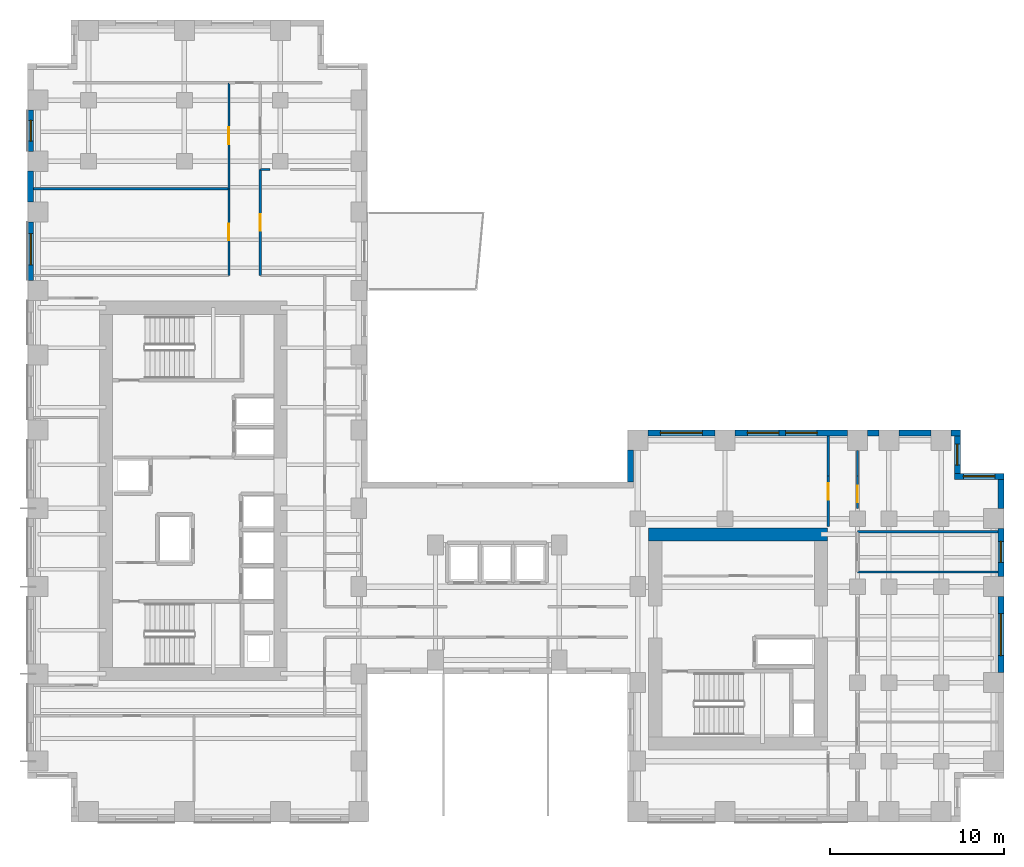
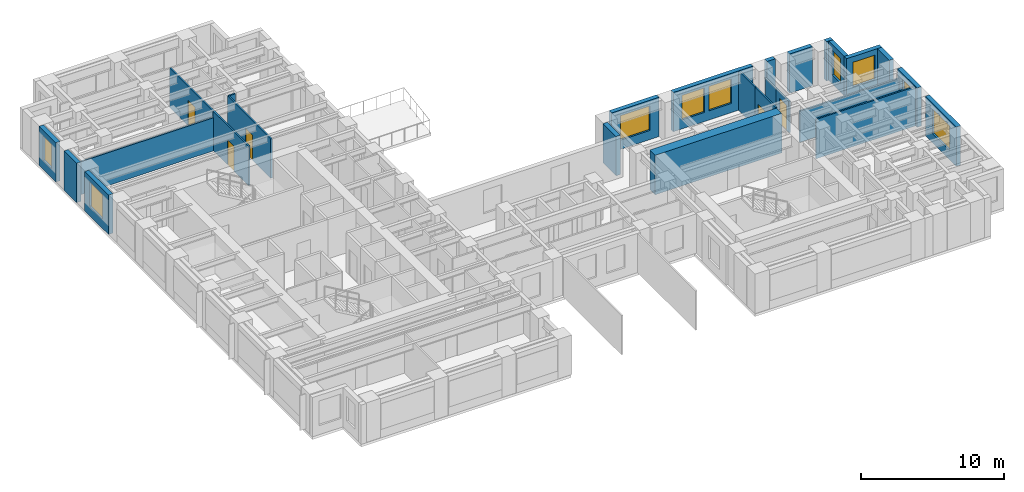
# One storey, part 8 of 11: 26 walls, 9 windows, 5 doors, 14 openings.
"""IFC4 building model written with IfcOpenShell, lengths in metres."""

import ifcopenshell
import ifcopenshell.guid

model = None  # the IFC model being written
_history = None  # IfcOwnerHistory: only IFC2X3 demands one
_inside = {}  # id of a spatial element -> (the spatial element, [elements in it])
_under = {}  # id of a project, library or spatial element -> (it, [spatial elements below it])
_declared = {}  # id of a project -> (the project, [libraries it declares])
_typed = {}  # id of a type object -> (the type object, [elements of that type])
_made_of = {}  # id of a material, layer set ... -> (it, [elements and type objects made of it])


def new_model(schema):
    """Start an empty IFC model of exactly this schema.

    Asked for "IFC4X3", IfcOpenShell would pick the latest addendum, in which some entities
    have other attributes; the version numbers below select the first issue.
    IFC2X3 requires an IfcOwnerHistory on every rooted entity: one is made here for all.
    """
    global model, _history
    if schema == "IFC4X3":
        model = ifcopenshell.file(schema_version=(4, 3, 0, 0))
    else:
        model = ifcopenshell.file(schema=schema)
    _inside.clear()
    _under.clear()
    _declared.clear()
    _typed.clear()
    _made_of.clear()
    _history = None
    if model.schema == "IFC2X3":
        org = make("IfcOrganization", Name="unknown")
        user = make(
            "IfcPersonAndOrganization",
            ThePerson=make("IfcPerson", FamilyName="unknown"),
            TheOrganization=org,
        )
        app = make(
            "IfcApplication",
            ApplicationDeveloper=org,
            Version="unknown",
            ApplicationFullName="unknown",
            ApplicationIdentifier="unknown",
        )
        _history = make(
            "IfcOwnerHistory",
            OwningUser=user,
            OwningApplication=app,
            ChangeAction="ADDED",
            CreationDate=0,
        )
    return model


def make(cls, **values):
    """One entity of the class cls with the attributes given. An attribute that is None is left unset."""
    return model.create_entity(
        cls, **{name: value for name, value in values.items() if value is not None}
    )


def rooted(cls, **values):
    """An entity with a GlobalId (a new one), such as an element, a storey or a relation."""
    return make(cls, GlobalId=ifcopenshell.guid.new(), OwnerHistory=_history, **values)


def si_unit(unit_type, name, prefix=None):
    """IfcSIUnit, for example si_unit("LENGTHUNIT", "METRE", prefix="MILLI")."""
    return make("IfcSIUnit", UnitType=unit_type, Prefix=prefix, Name=name)


def assignment(units):
    """IfcUnitAssignment: the units of a project."""
    return None if units is None else make("IfcUnitAssignment", Units=units)


def point(xyz):
    """IfcCartesianPoint."""
    return None if xyz is None else make("IfcCartesianPoint", Coordinates=xyz)


def direction(xyz):
    """IfcDirection."""
    return None if xyz is None else make("IfcDirection", DirectionRatios=xyz)


def frame(location, z_axis=None, x_axis=None):
    """IfcAxis2Placement3D, a coordinate frame: its origin and axes. An axis left out is left unset."""
    return make(
        "IfcAxis2Placement3D",
        Location=point(location),
        Axis=direction(z_axis),
        RefDirection=direction(x_axis),
    )


def frame_2d(location, x_axis=None):
    """IfcAxis2Placement2D, a coordinate frame in the plane: its origin and x axis."""
    return make(
        "IfcAxis2Placement2D", Location=point(location), RefDirection=direction(x_axis)
    )


def origin():
    """The frame at (0, 0, 0) with its axes left unset."""
    return frame((0.0, 0.0, 0.0))


def place(relative_to, where):
    """IfcLocalPlacement: puts the frame where relative to a parent placement (None: the world)."""
    return make(
        "IfcLocalPlacement", PlacementRelTo=relative_to, RelativePlacement=where
    )


def context(
    kind, dimensions, precision=None, world=None, true_north=None, identifier=None
):
    """IfcGeometricRepresentationContext, for example the 3D "Model" context."""
    return make(
        "IfcGeometricRepresentationContext",
        ContextIdentifier=identifier,
        ContextType=kind,
        CoordinateSpaceDimension=dimensions,
        Precision=precision,
        WorldCoordinateSystem=world,
        TrueNorth=true_north,
    )


def subcontext(parent, identifier, kind, view, scale=None):
    """IfcGeometricRepresentationSubContext, for example "Body" below "Model"."""
    return make(
        "IfcGeometricRepresentationSubContext",
        ContextIdentifier=identifier,
        ContextType=kind,
        ParentContext=parent,
        TargetScale=scale,
        TargetView=view,
    )


def project(units=None, contexts=None):
    """IfcProject with its units and contexts."""
    return rooted(
        "IfcProject",
        Name="project",
        RepresentationContexts=contexts,
        UnitsInContext=assignment(units),
    )


def spatial(cls, under=None, at=None, **own):
    """A site, building, storey or space (cls), placed at a placement, below another one or the project."""
    s = rooted(cls, ObjectPlacement=at, **own)
    if under is not None:
        _under.setdefault(under.id(), (under, []))[1].append(s)
    return s


def profile(cls, at=None, kind="AREA", **sizes):
    """A parametric profile (cls). Its sizes go by their IFC names, for example OverallWidth=200.0."""
    return make(cls, ProfileType=kind, Position=at, **sizes)


def rectangle(**sizes):
    """IfcRectangleProfileDef."""
    return profile("IfcRectangleProfileDef", **sizes)


def extrude(swept, where, along, depth):
    """IfcExtrudedAreaSolid: the profile swept, set in the frame where, extruded along a direction by depth."""
    return make(
        "IfcExtrudedAreaSolid",
        SweptArea=swept,
        Position=where,
        ExtrudedDirection=direction(along),
        Depth=depth,
    )


def shape(context_of_items, identifier, shape_type, items):
    """IfcShapeRepresentation: the items that make up one representation, for example the "Body"."""
    return make(
        "IfcShapeRepresentation",
        ContextOfItems=context_of_items,
        RepresentationIdentifier=identifier,
        RepresentationType=shape_type,
        Items=items,
    )


def source(mapping_origin, context_of_items, identifier, shape_type, items):
    """IfcRepresentationMap: a shape defined once, which mapped items show again and again."""
    return make(
        "IfcRepresentationMap",
        MappingOrigin=mapping_origin,
        MappedRepresentation=shape(context_of_items, identifier, shape_type, items),
    )


def transform(
    local_origin,
    x_axis=None,
    y_axis=None,
    z_axis=None,
    scale=None,
    scale2=None,
    scale3=None,
    uniform=True,
):
    """IfcCartesianTransformationOperator3D, or its non-uniform kind. x_axis, y_axis, z_axis: its Axis1, 2, 3."""
    if uniform:
        return make(
            "IfcCartesianTransformationOperator3D",
            Axis1=direction(x_axis),
            Axis2=direction(y_axis),
            LocalOrigin=point(local_origin),
            Scale=scale,
            Axis3=direction(z_axis),
        )
    return make(
        "IfcCartesianTransformationOperator3DnonUniform",
        Axis1=direction(x_axis),
        Axis2=direction(y_axis),
        LocalOrigin=point(local_origin),
        Scale=scale,
        Axis3=direction(z_axis),
        Scale2=scale2,
        Scale3=scale3,
    )


def mapped(mapping_source, mapping_target):
    """IfcMappedItem: shows the shape of a source again, moved by a transform."""
    return make(
        "IfcMappedItem", MappingSource=mapping_source, MappingTarget=mapping_target
    )


def material(Name=None, Category=None):
    """IfcMaterial."""
    return make("IfcMaterial", Name=Name, Category=Category)


def layer(
    of_material, thickness, ventilated=None, Name=None, Category=None, Priority=None
):
    """IfcMaterialLayer: one layer of a wall or slab, of a material (None: an air gap)."""
    return make(
        "IfcMaterialLayer",
        Material=of_material,
        LayerThickness=thickness,
        IsVentilated=ventilated,
        Name=Name,
        Category=Category,
        Priority=Priority,
    )


def layer_set(layers, Name=None):
    """IfcMaterialLayerSet."""
    return make("IfcMaterialLayerSet", MaterialLayers=layers, LayerSetName=Name)


def made_of(thing, what):
    """Note that an element or type object is made of a material, layer set ...; save() writes the relation."""
    if what is not None:
        _made_of.setdefault(what.id(), (what, []))[1].append(thing)
    return thing


def type_object(cls, material=None, **own):
    """A type object (cls), such as IfcWallType, which elements share."""
    return made_of(rooted(cls, **own), material)


def element(
    cls,
    number,
    at=None,
    inside=None,
    cuts=None,
    type_object=None,
    material=None,
    context=None,
    identifier="Body",
    shape_type=None,
    held_by="IfcProductDefinitionShape",
    body=None,
    shapes=None,
    **own,
):
    """One element of the class cls, such as IfcWall. Its Tag is "e" and its number.

    at: its placement. inside: the storey or other place that contains it. cuts: it is an
    opening in that element (IfcRelVoidsElement). A single representation is given by context,
    identifier, shape_type and body (its items); several are given by shapes. held_by: the class
    of the entity that holds the representations. save() writes the other relations.
    """
    e = rooted(cls, Tag="e%d" % number, ObjectPlacement=at, **own)
    if body is not None:
        shapes = [shape(context, identifier, shape_type, body)]
    if shapes is not None:
        e.Representation = make(held_by, Representations=shapes)
    if inside is not None:
        _inside.setdefault(inside.id(), (inside, []))[1].append(e)
    if cuts is not None:
        rooted(
            "IfcRelVoidsElement", RelatingBuildingElement=cuts, RelatedOpeningElement=e
        )
    if type_object is not None:
        _typed.setdefault(type_object.id(), (type_object, []))[1].append(e)
    return made_of(e, material)


def fill(opening, filler):
    """IfcRelFillsElement: the door or window that sits in an opening."""
    return rooted(
        "IfcRelFillsElement",
        RelatingOpeningElement=opening,
        RelatedBuildingElement=filler,
    )


def aggregate(whole, parts):
    """IfcRelAggregates: a whole, such as a stair, and the parts it consists of."""
    return rooted("IfcRelAggregates", RelatingObject=whole, RelatedObjects=parts)


def save(model, path):
    """Write the relations noted so far, then the file.

    IfcRelAggregates (storeys below a building ...), IfcRelContainedInSpatialStructure (elements
    in a storey), IfcRelDefinesByType, IfcRelAssociatesMaterial and IfcRelDeclares: one each for
    every whole, place, type object, material and project.
    """
    for whole, parts in _under.values():
        aggregate(whole, parts)
    for where, things in _inside.values():
        rooted(
            "IfcRelContainedInSpatialStructure",
            RelatedElements=things,
            RelatingStructure=where,
        )
    for kind, things in _typed.values():
        rooted("IfcRelDefinesByType", RelatedObjects=things, RelatingType=kind)
    for what, things in _made_of.values():
        rooted("IfcRelAssociatesMaterial", RelatedObjects=things, RelatingMaterial=what)
    for by, libraries in _declared.values():
        rooted("IfcRelDeclares", RelatingContext=by, RelatedDefinitions=libraries)
    model.write(path)


model = new_model("IFC4")

# Units and contexts
model_context = context("Model", 3, precision=1e-05, world=origin(), true_north=direction((0.0, 1.0)))
body_context = subcontext(model_context, "Body", "Model", "MODEL_VIEW")
ifc_project = project(units=[si_unit("LENGTHUNIT", "METRE"), si_unit("AREAUNIT", "SQUARE_METRE"), si_unit("VOLUMEUNIT", "CUBIC_METRE"), si_unit("PLANEANGLEUNIT", "RADIAN"), si_unit("MASSUNIT", "GRAM", prefix="KILO")], contexts=[model_context])

# Site, building, storey
site_placement = place(None, origin())
site = spatial("IfcSite", under=ifc_project, at=site_placement, CompositionType="ELEMENT")
building_placement = place(site_placement, origin())
building = spatial("IfcBuilding", under=site, at=building_placement, Name="Kharzan Plaza Tower", CompositionType="ELEMENT")
storey_placement = place(building_placement, frame((0.0, 0.0, 113.39990234375)))
storey = spatial("IfcBuildingStorey", under=building, at=storey_placement, Name="L30", CompositionType="ELEMENT", Elevation=113.39990234375)

# Wall, opening, window
ifc_material_1 = material(Name="Concrete C40/50", Category="concrete")
ifc_layer_1 = layer(ifc_material_1, 0.35009765625)
ifc_layer_set_1 = layer_set([ifc_layer_1], Name="Concrete C40/50")
wall_type_1 = type_object("IfcWallType", Name="WL-EXT-MAS-Z2", PredefinedType="SOLIDWALL", material=ifc_layer_set_1)
wall_1_placement = place(storey_placement, frame((0.175048828125, 40.826904296875, 0.0), z_axis=(0.0, 0.0, 1.0), x_axis=(0.0, -1.0, 0.0)))
wall_1 = element("IfcWall", 1, at=wall_1_placement, inside=storey, type_object=wall_type_1, Name="L30 Masonry-Frame Exterior Wall 17", PredefinedType="SOLIDWALL", context=body_context, shape_type="SweptSolid", body=[
    extrude(rectangle(XDim=2.35400390625, YDim=0.35009765625, at=frame_2d((1.177001953125, 0.0))), origin(), (0.0, 0.0, 1.0), 3.364990234375),
])
opening_1_placement = place(wall_1_placement, frame((0.576904296875, 0.0, 0.780029296875)))
opening_1 = element("IfcOpeningElement", 2, at=opening_1_placement, cuts=wall_1, Name="Opening W3", PredefinedType="OPENING", context=body_context, shape_type="SweptSolid", body=[
    extrude(rectangle(XDim=1.199951171875, YDim=2.10009765625, at=frame_2d((0.60009765625, 1.050048828125))), frame((0.0, 0.18505859375, 0.0), z_axis=(0.0, -1.0, 0.0), x_axis=(1.0, 0.0, 0.0)), (0.0, 0.0, 1.0), 0.3701171875),
])
ifc_material_2 = material(Name="Low-E Double Glazing", Category="glass")
window_type_1 = type_object("IfcWindowType", Name="WN-REC-1200x2100", PartitioningType="SINGLE_PANEL", PredefinedType="WINDOW", material=ifc_material_2)
shared_shape_1 = source(origin(), body_context, "Body", "SweptSolid", [
    extrude(rectangle(XDim=1.199951171875, YDim=2.10009765625, at=frame_2d((0.60009765625, 1.050048828125))), frame((0.0, 0.030029296875, 0.0), z_axis=(0.0, -1.0, 0.0), x_axis=(1.0, 0.0, 0.0)), (0.0, 0.0, 1.0), 0.06005859375),
])
window_1_placement = place(opening_1_placement, origin())
window_1 = element("IfcWindow", 3, at=window_1_placement, inside=storey, type_object=window_type_1, Name="L30 Recessed Solar-Control Window 17-1", OverallHeight=2.10009765625, OverallWidth=1.199951171875, PartitioningType="SINGLE_PANEL", PredefinedType="WINDOW", context=body_context, shape_type="MappedRepresentation", body=[
    mapped(shared_shape_1, transform((0.0, 0.0, 0.0), x_axis=(1.0, 0.0, 0.0), y_axis=(0.0, 1.0, 0.0), z_axis=(0.0, 0.0, 1.0))),
])
fill(opening_1, window_1)

wall_2_placement = place(storey_placement, frame((0.175048828125, 34.427001953125, 0.0), z_axis=(0.0, 0.0, 1.0), x_axis=(0.0, -1.0, 0.0)))
wall_2 = element("IfcWall", 4, at=wall_2_placement, inside=storey, type_object=wall_type_1, Name="L30 Masonry-Frame Exterior Wall 19", PredefinedType="SOLIDWALL", context=body_context, shape_type="SweptSolid", body=[
    extrude(rectangle(XDim=3.35400390625, YDim=0.35009765625, at=frame_2d((1.677001953125, 0.0))), origin(), (0.0, 0.0, 1.0), 3.364990234375),
])
opening_2_placement = place(wall_2_placement, frame((0.673583984375, 0.0, 0.780029296875)))
opening_2 = element("IfcOpeningElement", 5, at=opening_2_placement, cuts=wall_2, Name="Opening W1", PredefinedType="OPENING", context=body_context, shape_type="SweptSolid", body=[
    extrude(rectangle(XDim=1.800048828125, YDim=2.10009765625, at=frame_2d((0.89990234375, 1.050048828125))), frame((0.0, 0.18505859375, 0.0), z_axis=(0.0, -1.0, 0.0), x_axis=(1.0, 0.0, 0.0)), (0.0, 0.0, 1.0), 0.3701171875),
])
window_type_2 = type_object("IfcWindowType", Name="WN-REC-1800x2100", PartitioningType="SINGLE_PANEL", PredefinedType="WINDOW", material=ifc_material_2)
shared_shape_2 = source(origin(), body_context, "Body", "SweptSolid", [
    extrude(rectangle(XDim=1.800048828125, YDim=2.10009765625, at=frame_2d((0.89990234375, 1.050048828125))), frame((0.0, 0.030029296875, 0.0), z_axis=(0.0, -1.0, 0.0), x_axis=(1.0, 0.0, 0.0)), (0.0, 0.0, 1.0), 0.06005859375),
])
window_2_placement = place(opening_2_placement, origin())
window_2 = element("IfcWindow", 6, at=window_2_placement, inside=storey, type_object=window_type_2, Name="L30 Recessed Solar-Control Window 19-1", OverallHeight=2.10009765625, OverallWidth=1.800048828125, PartitioningType="SINGLE_PANEL", PredefinedType="WINDOW", context=body_context, shape_type="MappedRepresentation", body=[
    mapped(shared_shape_2, transform((0.0, 0.0, 0.0), x_axis=(1.0, 0.0, 0.0), y_axis=(0.0, 1.0, 0.0), z_axis=(0.0, 0.0, 1.0))),
])
fill(opening_2, window_2)

wall_3_placement = place(storey_placement, frame((55.824951171875, 8.572998046875, 0.0), z_axis=(0.0, 0.0, 1.0), x_axis=(0.0, 1.0, 0.0)))
wall_3 = element("IfcWall", 7, at=wall_3_placement, inside=storey, type_object=wall_type_1, Name="L30 Masonry-Frame Exterior Wall 47", PredefinedType="SOLIDWALL", context=body_context, shape_type="SweptSolid", body=[
    extrude(rectangle(XDim=4.35400390625, YDim=0.35009765625, at=frame_2d((2.177001953125, 0.0))), origin(), (0.0, 0.0, 1.0), 3.364990234375),
])
opening_3_placement = place(wall_3_placement, frame((0.97705078125, 0.0, 0.780029296875)))
opening_3 = element("IfcOpeningElement", 8, at=opening_3_placement, cuts=wall_3, Name="Opening W2", PredefinedType="OPENING", context=body_context, shape_type="SweptSolid", body=[
    extrude(rectangle(XDim=2.39990234375, YDim=2.10009765625, at=frame_2d((1.199951171875, 1.050048828125))), frame((0.0, 0.18505859375, 0.0), z_axis=(0.0, -1.0, 0.0), x_axis=(1.0, 0.0, 0.0)), (0.0, 0.0, 1.0), 0.3701171875),
])
window_type_3 = type_object("IfcWindowType", Name="WN-REC-2400x2100", PartitioningType="SINGLE_PANEL", PredefinedType="WINDOW", material=ifc_material_2)
shared_shape_3 = source(origin(), body_context, "Body", "SweptSolid", [
    extrude(rectangle(XDim=2.39990234375, YDim=2.10009765625, at=frame_2d((1.199951171875, 1.050048828125))), frame((0.0, 0.030029296875, 0.0), z_axis=(0.0, -1.0, 0.0), x_axis=(1.0, 0.0, 0.0)), (0.0, 0.0, 1.0), 0.06005859375),
])
window_3_placement = place(opening_3_placement, origin())
window_3 = element("IfcWindow", 9, at=window_3_placement, inside=storey, type_object=window_type_3, Name="L30 Wide Recessed Solar-Control Window 47-1", OverallHeight=2.10009765625, OverallWidth=2.39990234375, PartitioningType="SINGLE_PANEL", PredefinedType="WINDOW", context=body_context, shape_type="MappedRepresentation", body=[
    mapped(shared_shape_3, transform((0.0, 0.0, 0.0), x_axis=(1.0, 0.0, 0.0), y_axis=(0.0, 1.0, 0.0), z_axis=(0.0, 0.0, 1.0))),
])
fill(opening_3, window_3)

wall_4_placement = place(storey_placement, frame((55.824951171875, 14.072998046875, 0.0), z_axis=(0.0, 0.0, 1.0), x_axis=(0.0, 1.0, 0.0)))
wall_4 = element("IfcWall", 10, at=wall_4_placement, inside=storey, type_object=wall_type_1, Name="L30 Masonry-Frame Exterior Wall 48", PredefinedType="SOLIDWALL", context=body_context, shape_type="SweptSolid", body=[
    extrude(rectangle(XDim=2.75390625, YDim=0.35009765625, at=frame_2d((1.376953125, 0.0))), origin(), (0.0, 0.0, 1.0), 3.364990234375),
])
opening_4_placement = place(wall_4_placement, frame((0.826904296875, 0.0, 0.780029296875)))
opening_4 = element("IfcOpeningElement", 11, at=opening_4_placement, cuts=wall_4, Name="Opening W3", PredefinedType="OPENING", context=body_context, shape_type="SweptSolid", body=[
    extrude(rectangle(XDim=1.199951171875, YDim=2.10009765625, at=frame_2d((0.60009765625, 1.050048828125))), frame((0.0, 0.18505859375, 0.0), z_axis=(0.0, -1.0, 0.0), x_axis=(1.0, 0.0, 0.0)), (0.0, 0.0, 1.0), 0.3701171875),
])
window_4_placement = place(opening_4_placement, origin())
window_4 = element("IfcWindow", 12, at=window_4_placement, inside=storey, type_object=window_type_1, Name="L30 Recessed Solar-Control Window 48-1", OverallHeight=2.10009765625, OverallWidth=1.199951171875, PartitioningType="SINGLE_PANEL", PredefinedType="WINDOW", context=body_context, shape_type="MappedRepresentation", body=[
    mapped(shared_shape_1, transform((0.0, 0.0, 0.0), x_axis=(1.0, 0.0, 0.0), y_axis=(0.0, 1.0, 0.0), z_axis=(0.0, 0.0, 1.0))),
])
fill(opening_4, window_4)

wall_5_placement = place(storey_placement, frame((56.0, 19.824951171875, 0.0), z_axis=(0.0, 0.0, 1.0), x_axis=(-1.0, 0.0, 0.0)))
wall_5 = element("IfcWall", 13, at=wall_5_placement, inside=storey, type_object=wall_type_1, Name="L30 Masonry-Frame Exterior Wall 50", PredefinedType="SOLIDWALL", context=body_context, shape_type="SweptSolid", body=[
    extrude(rectangle(XDim=2.85009765625, YDim=0.35009765625, at=frame_2d((1.425048828125, 0.0))), origin(), (0.0, 0.0, 1.0), 3.364990234375),
])
opening_5_placement = place(wall_5_placement, frame((0.52490234375, 0.0, 0.780029296875)))
opening_5 = element("IfcOpeningElement", 14, at=opening_5_placement, cuts=wall_5, Name="Opening W1", PredefinedType="OPENING", context=body_context, shape_type="SweptSolid", body=[
    extrude(rectangle(XDim=1.800048828125, YDim=2.10009765625, at=frame_2d((0.89990234375, 1.050048828125))), frame((0.0, 0.18505859375, 0.0), z_axis=(0.0, -1.0, 0.0), x_axis=(1.0, 0.0, 0.0)), (0.0, 0.0, 1.0), 0.3701171875),
])
window_5_placement = place(opening_5_placement, origin())
window_5 = element("IfcWindow", 15, at=window_5_placement, inside=storey, type_object=window_type_2, Name="L30 Recessed Solar-Control Window 50-1", OverallHeight=2.10009765625, OverallWidth=1.800048828125, PartitioningType="SINGLE_PANEL", PredefinedType="WINDOW", context=body_context, shape_type="MappedRepresentation", body=[
    mapped(shared_shape_2, transform((0.0, 0.0, 0.0), x_axis=(1.0, 0.0, 0.0), y_axis=(0.0, 1.0, 0.0), z_axis=(0.0, 0.0, 1.0))),
])
fill(opening_5, window_5)

wall_6_placement = place(storey_placement, frame((53.324951171875, 19.998046875, 0.0), z_axis=(0.0, 0.0, 1.0), x_axis=(0.0, 1.0, 0.0)))
wall_6 = element("IfcWall", 16, at=wall_6_placement, inside=storey, type_object=wall_type_1, Name="L30 Masonry-Frame Exterior Wall 51", PredefinedType="SOLIDWALL", context=body_context, shape_type="SweptSolid", body=[
    extrude(rectangle(XDim=2.154052734375, YDim=0.35009765625, at=frame_2d((1.0771484375, 0.0))), origin(), (0.0, 0.0, 1.0), 3.364990234375),
])
opening_6_placement = place(wall_6_placement, frame((0.47705078125, 0.0, 0.780029296875)))
opening_6 = element("IfcOpeningElement", 17, at=opening_6_placement, cuts=wall_6, Name="Opening W3", PredefinedType="OPENING", context=body_context, shape_type="SweptSolid", body=[
    extrude(rectangle(XDim=1.199951171875, YDim=2.10009765625, at=frame_2d((0.60009765625, 1.050048828125))), frame((0.0, 0.18505859375, 0.0), z_axis=(0.0, -1.0, 0.0), x_axis=(1.0, 0.0, 0.0)), (0.0, 0.0, 1.0), 0.3701171875),
])
window_6_placement = place(opening_6_placement, origin())
window_6 = element("IfcWindow", 18, at=window_6_placement, inside=storey, type_object=window_type_1, Name="L30 Recessed Solar-Control Window 51-1", OverallHeight=2.10009765625, OverallWidth=1.199951171875, PartitioningType="SINGLE_PANEL", PredefinedType="WINDOW", context=body_context, shape_type="MappedRepresentation", body=[
    mapped(shared_shape_1, transform((0.0, 0.0, 0.0), x_axis=(1.0, 0.0, 0.0), y_axis=(0.0, 1.0, 0.0), z_axis=(0.0, 0.0, 1.0))),
])
fill(opening_6, window_6)

# Wall, openings, windows
wall_7_placement = place(storey_placement, frame((47.027099609375, 22.324951171875, 0.0), z_axis=(0.0, 0.0, 1.0), x_axis=(-1.0, 0.0, 0.0)))
wall_7 = element("IfcWall", 19, at=wall_7_placement, inside=storey, type_object=wall_type_1, Name="L30 Masonry-Frame Exterior Wall 55", PredefinedType="SOLIDWALL", context=body_context, shape_type="SweptSolid", body=[
    extrude(rectangle(XDim=6.4541015625, YDim=0.35009765625, at=frame_2d((3.22705078125, 0.0))), origin(), (0.0, 0.0, 1.0), 3.364990234375),
])
opening_7_placement = place(wall_7_placement, frame((1.749267578125, 0.0, 0.780029296875)))
opening_7 = element("IfcOpeningElement", 20, at=opening_7_placement, cuts=wall_7, Name="Opening W1", PredefinedType="OPENING", context=body_context, shape_type="SweptSolid", body=[
    extrude(rectangle(XDim=1.800048828125, YDim=2.10009765625, at=frame_2d((0.89990234375, 1.050048828125))), frame((0.0, 0.18505859375, 0.0), z_axis=(0.0, -1.0, 0.0), x_axis=(1.0, 0.0, 0.0)), (0.0, 0.0, 1.0), 0.3701171875),
])
opening_8_placement = place(wall_7_placement, frame((3.941650390625, 0.0, 0.780029296875)))
opening_8 = element("IfcOpeningElement", 21, at=opening_8_placement, cuts=wall_7, Name="Opening W1", PredefinedType="OPENING", context=body_context, shape_type="SweptSolid", body=[
    extrude(rectangle(XDim=1.800048828125, YDim=2.10009765625, at=frame_2d((0.89990234375, 1.050048828125))), frame((0.0, 0.18505859375, 0.0), z_axis=(0.0, -1.0, 0.0), x_axis=(1.0, 0.0, 0.0)), (0.0, 0.0, 1.0), 0.3701171875),
])
window_7_placement = place(opening_7_placement, origin())
window_7 = element("IfcWindow", 22, at=window_7_placement, inside=storey, type_object=window_type_2, Name="L30 Recessed Solar-Control Window 55-1", OverallHeight=2.10009765625, OverallWidth=1.800048828125, PartitioningType="SINGLE_PANEL", PredefinedType="WINDOW", context=body_context, shape_type="MappedRepresentation", body=[
    mapped(shared_shape_2, transform((0.0, 0.0, 0.0), x_axis=(1.0, 0.0, 0.0), y_axis=(0.0, 1.0, 0.0), z_axis=(0.0, 0.0, 1.0))),
])
fill(opening_7, window_7)
window_8_placement = place(opening_8_placement, origin())
window_8 = element("IfcWindow", 23, at=window_8_placement, inside=storey, type_object=window_type_2, Name="L30 Recessed Solar-Control Window 55-2", OverallHeight=2.10009765625, OverallWidth=1.800048828125, PartitioningType="SINGLE_PANEL", PredefinedType="WINDOW", context=body_context, shape_type="MappedRepresentation", body=[
    mapped(shared_shape_2, transform((0.0, 0.0, 0.0), x_axis=(1.0, 0.0, 0.0), y_axis=(0.0, 1.0, 0.0), z_axis=(0.0, 0.0, 1.0))),
])
fill(opening_8, window_8)

# Wall, opening, window
wall_8_placement = place(storey_placement, frame((39.427001953125, 22.324951171875, 0.0), z_axis=(0.0, 0.0, 1.0), x_axis=(-1.0, 0.0, 0.0)))
wall_8 = element("IfcWall", 24, at=wall_8_placement, inside=storey, type_object=wall_type_1, Name="L30 Masonry-Frame Exterior Wall 56", PredefinedType="SOLIDWALL", context=body_context, shape_type="SweptSolid", body=[
    extrude(rectangle(XDim=3.85400390625, YDim=0.35009765625, at=frame_2d((1.927001953125, 0.0))), origin(), (0.0, 0.0, 1.0), 3.364990234375),
])
opening_9_placement = place(wall_8_placement, frame((0.72705078125, 0.0, 0.780029296875)))
opening_9 = element("IfcOpeningElement", 25, at=opening_9_placement, cuts=wall_8, Name="Opening W2", PredefinedType="OPENING", context=body_context, shape_type="SweptSolid", body=[
    extrude(rectangle(XDim=2.39990234375, YDim=2.10009765625, at=frame_2d((1.199951171875, 1.050048828125))), frame((0.0, 0.18505859375, 0.0), z_axis=(0.0, -1.0, 0.0), x_axis=(1.0, 0.0, 0.0)), (0.0, 0.0, 1.0), 0.3701171875),
])
window_9_placement = place(opening_9_placement, origin())
window_9 = element("IfcWindow", 26, at=window_9_placement, inside=storey, type_object=window_type_3, Name="L30 Wide Recessed Solar-Control Window 56-1", OverallHeight=2.10009765625, OverallWidth=2.39990234375, PartitioningType="SINGLE_PANEL", PredefinedType="WINDOW", context=body_context, shape_type="MappedRepresentation", body=[
    mapped(shared_shape_3, transform((0.0, 0.0, 0.0), x_axis=(1.0, 0.0, 0.0), y_axis=(0.0, 1.0, 0.0), z_axis=(0.0, 0.0, 1.0))),
])
fill(opening_9, window_9)

# Wall, opening, door
ifc_material_3 = material(Name="Fire-Rated Gypsum Board Partition", Category="gypsum")
ifc_layer_2 = layer(ifc_material_3, 0.125)
ifc_layer_set_2 = layer_set([ifc_layer_2], Name="Fire-Rated Gypsum Board Partition")
wall_type_2 = type_object("IfcWallType", Name="WL-INT-PART-125", PredefinedType="PARTITIONING", material=ifc_layer_set_2)
wall_9_placement = place(storey_placement, frame((47.60009765625, 17.989990234375, 0.0), z_axis=(0.0, 0.0, 1.0), x_axis=(0.0, 1.0, 0.0)))
wall_9 = element("IfcWall", 27, at=wall_9_placement, inside=storey, type_object=wall_type_2, Name="L30 Interior Partition SH-B3W2", PredefinedType="PARTITIONING", context=body_context, shape_type="SweptSolid", body=[
    extrude(rectangle(XDim=1.860107421875, YDim=0.125, at=frame_2d((0.93017578125, 0.0))), origin(), (0.0, 0.0, 1.0), 2.677001953125),
])
opening_10_placement = place(wall_9_placement, frame((0.36328125, 0.0, 0.0)))
opening_10 = element("IfcOpeningElement", 28, at=opening_10_placement, cuts=wall_9, Name="Opening OD1", PredefinedType="OPENING", context=body_context, shape_type="SweptSolid", body=[
    extrude(rectangle(XDim=0.949951171875, YDim=2.14990234375, at=frame_2d((0.47509765625, 1.074951171875))), frame((0.0, 0.072509765625, 0.0), z_axis=(0.0, -1.0, 0.0), x_axis=(1.0, 0.0, 0.0)), (0.0, 0.0, 1.0), 0.14501953125),
])
ifc_material_4 = material(Name="Acoustic Solid-Core Stained Oak", Category="timber")
door_type = type_object("IfcDoorType", Name="DR-OFF-SINGLE", OperationType="NOTDEFINED", PredefinedType="DOOR", material=ifc_material_4)
shared_shape_4 = source(origin(), body_context, "Body", "SweptSolid", [
    extrude(rectangle(XDim=0.949951171875, YDim=2.14990234375, at=frame_2d((0.47509765625, 1.074951171875))), frame((0.0, 0.02490234375, 0.0), z_axis=(0.0, -1.0, 0.0), x_axis=(1.0, 0.0, 0.0)), (0.0, 0.0, 1.0), 0.050048828125),
])
door_1_placement = place(opening_10_placement, origin())
door_1 = element("IfcDoor", 29, at=door_1_placement, inside=storey, type_object=door_type, Name="L30 Wing B Office 3 Door", OperationType="SINGLE_SWING_RIGHT", OverallHeight=2.14990234375, OverallWidth=0.949951171875, PredefinedType="DOOR", context=body_context, shape_type="MappedRepresentation", body=[
    mapped(shared_shape_4, transform((0.0, 0.0, 0.0), x_axis=(1.0, 0.0, 0.0), y_axis=(0.0, 1.0, 0.0), z_axis=(0.0, 0.0, 1.0))),
])
fill(opening_10, door_1)

wall_10_placement = place(storey_placement, frame((45.919921875, 16.949951171875, 0.0), z_axis=(0.0, 0.0, 1.0), x_axis=(0.0, 1.0, 0.0)))
wall_10 = element("IfcWall", 30, at=wall_10_placement, inside=storey, type_object=wall_type_2, Name="L30 Interior Partition SH-RBNE", PredefinedType="PARTITIONING", context=body_context, shape_type="SweptSolid", body=[
    extrude(rectangle(XDim=2.900146484375, YDim=0.125, at=frame_2d((1.4501953125, 0.0))), origin(), (0.0, 0.0, 1.0), 3.364990234375),
])
opening_11_placement = place(wall_10_placement, frame((1.54296875, 0.0, 0.0)))
opening_11 = element("IfcOpeningElement", 31, at=opening_11_placement, cuts=wall_10, Name="Opening OD1", PredefinedType="OPENING", context=body_context, shape_type="SweptSolid", body=[
    extrude(rectangle(XDim=0.949951171875, YDim=2.14990234375, at=frame_2d((0.47509765625, 1.074951171875))), frame((0.0, 0.072509765625, 0.0), z_axis=(0.0, -1.0, 0.0), x_axis=(1.0, 0.0, 0.0)), (0.0, 0.0, 1.0), 0.14501953125),
])
door_2_placement = place(opening_11_placement, origin())
door_2 = element("IfcDoor", 32, at=door_2_placement, inside=storey, type_object=door_type, Name="L30 Wing B North Studio Door", OperationType="SINGLE_SWING_LEFT", OverallHeight=2.14990234375, OverallWidth=0.949951171875, PredefinedType="DOOR", context=body_context, shape_type="MappedRepresentation", body=[
    mapped(shared_shape_4, transform((0.0, 0.0, 0.0), x_axis=(1.0, 0.0, 0.0), y_axis=(0.0, 1.0, 0.0), z_axis=(0.0, 0.0, 1.0))),
])
fill(opening_11, door_2)

wall_11_placement = place(storey_placement, frame((13.35009765625, 31.35009765625, 0.0), z_axis=(0.0, 0.0, 1.0), x_axis=(0.0, 1.0, 0.0)))
wall_11 = element("IfcWall", 33, at=wall_11_placement, inside=storey, type_object=wall_type_2, Name="L30 Interior Partition SH-SPE-1", PredefinedType="PARTITIONING", context=body_context, shape_type="SweptSolid", body=[
    extrude(rectangle(XDim=6.077880859375, YDim=0.125, at=frame_2d((3.0390625, 0.0))), origin(), (0.0, 0.0, 1.0), 3.364990234375),
])
opening_12_placement = place(wall_11_placement, frame((2.56396484375, 0.0, 0.0)))
opening_12 = element("IfcOpeningElement", 34, at=opening_12_placement, cuts=wall_11, Name="Opening OD1", PredefinedType="OPENING", context=body_context, shape_type="SweptSolid", body=[
    extrude(rectangle(XDim=0.949951171875, YDim=2.14990234375, at=frame_2d((0.47509765625, 1.074951171875))), frame((0.0, 0.072509765625, 0.0), z_axis=(0.0, -1.0, 0.0), x_axis=(1.0, 0.0, 0.0)), (0.0, 0.0, 1.0), 0.14501953125),
])
door_3_placement = place(opening_12_placement, origin())
door_3 = element("IfcDoor", 35, at=door_3_placement, inside=storey, type_object=door_type, Name="L30 Executive Boardroom Door", OperationType="SINGLE_SWING_LEFT", OverallHeight=2.14990234375, OverallWidth=0.949951171875, PredefinedType="DOOR", context=body_context, shape_type="MappedRepresentation", body=[
    mapped(shared_shape_4, transform((0.0, 0.0, 0.0), x_axis=(1.0, 0.0, 0.0), y_axis=(0.0, 1.0, 0.0), z_axis=(0.0, 0.0, 1.0))),
])
fill(opening_12, door_3)

wall_12_placement = place(storey_placement, frame((11.550048828125, 31.35009765625, 0.0), z_axis=(0.0, 0.0, 1.0), x_axis=(0.0, 1.0, 0.0)))
wall_12 = element("IfcWall", 36, at=wall_12_placement, inside=storey, type_object=wall_type_2, Name="L30 Interior Partition SH-SPW-1", PredefinedType="PARTITIONING", context=body_context, shape_type="SweptSolid", body=[
    extrude(rectangle(XDim=4.971923828125, YDim=0.125, at=frame_2d((2.48583984375, 0.0))), origin(), (0.0, 0.0, 1.0), 3.364990234375),
])
opening_13_placement = place(wall_12_placement, frame((2.010986328125, 0.0, 0.0)))
opening_13 = element("IfcOpeningElement", 37, at=opening_13_placement, cuts=wall_12, Name="Opening OD1", PredefinedType="OPENING", context=body_context, shape_type="SweptSolid", body=[
    extrude(rectangle(XDim=0.949951171875, YDim=2.14990234375, at=frame_2d((0.47509765625, 1.074951171875))), frame((0.0, 0.072509765625, 0.0), z_axis=(0.0, -1.0, 0.0), x_axis=(1.0, 0.0, 0.0)), (0.0, 0.0, 1.0), 0.14501953125),
])
door_4_placement = place(opening_13_placement, origin())
door_4 = element("IfcDoor", 38, at=door_4_placement, inside=storey, type_object=door_type, Name="L30 Executive Tea Pantry Door", OperationType="SINGLE_SWING_LEFT", OverallHeight=2.14990234375, OverallWidth=0.949951171875, PredefinedType="DOOR", context=body_context, shape_type="MappedRepresentation", body=[
    mapped(shared_shape_4, transform((0.0, 0.0, 0.0), x_axis=(1.0, 0.0, 0.0), y_axis=(0.0, 1.0, 0.0), z_axis=(0.0, 0.0, 1.0))),
])
fill(opening_13, door_4)

wall_13_placement = place(storey_placement, frame((11.550048828125, 36.322021484375, 0.0), z_axis=(0.0, 0.0, 1.0), x_axis=(0.0, 1.0, 0.0)))
wall_13 = element("IfcWall", 39, at=wall_13_placement, inside=storey, type_object=wall_type_2, Name="L30 Interior Partition SH-SPW-2", PredefinedType="PARTITIONING", context=body_context, shape_type="SweptSolid", body=[
    extrude(rectangle(XDim=6.077880859375, YDim=0.125, at=frame_2d((3.0390625, 0.0))), origin(), (0.0, 0.0, 1.0), 3.364990234375),
])
opening_14_placement = place(wall_13_placement, frame((2.56396484375, 0.0, 0.0)))
opening_14 = element("IfcOpeningElement", 40, at=opening_14_placement, cuts=wall_13, Name="Opening OD1", PredefinedType="OPENING", context=body_context, shape_type="SweptSolid", body=[
    extrude(rectangle(XDim=0.949951171875, YDim=2.14990234375, at=frame_2d((0.47509765625, 1.074951171875))), frame((0.0, 0.072509765625, 0.0), z_axis=(0.0, -1.0, 0.0), x_axis=(1.0, 0.0, 0.0)), (0.0, 0.0, 1.0), 0.14501953125),
])
door_5_placement = place(opening_14_placement, origin())
door_5 = element("IfcDoor", 41, at=door_5_placement, inside=storey, type_object=door_type, Name="L30 Strategy Briefing Room Door", OperationType="SINGLE_SWING_RIGHT", OverallHeight=2.14990234375, OverallWidth=0.949951171875, PredefinedType="DOOR", context=body_context, shape_type="MappedRepresentation", body=[
    mapped(shared_shape_4, transform((0.0, 0.0, 0.0), x_axis=(1.0, 0.0, 0.0), y_axis=(0.0, 1.0, 0.0), z_axis=(0.0, 0.0, 1.0))),
])
fill(opening_14, door_5)

# Walls
shared_shape_5 = source(origin(), body_context, "Body", "SweptSolid", [
    extrude(rectangle(XDim=2.2978515625, YDim=0.125, at=frame_2d((1.14892578125, 0.0))), origin(), (0.0, 0.0, 1.0), 3.364990234375),
])
wall_14_placement = place(storey_placement, frame((45.919921875, 19.85009765625, 0.0), z_axis=(0.0, 0.0, 1.0), x_axis=(0.0, 1.0, 0.0)))
element("IfcWall", 42, at=wall_14_placement, inside=storey, type_object=wall_type_2, Name="L30 Interior Partition SH-RBNE0", PredefinedType="PARTITIONING", context=body_context, shape_type="MappedRepresentation", body=[
    mapped(shared_shape_5, transform((0.0, 0.0, 0.0), x_axis=(1.0, 0.0, 0.0), y_axis=(0.0, 1.0, 0.0), z_axis=(0.0, 0.0, 1.0))),
])
ifc_material_5 = material(Name="Concrete C60/75", Category="concrete")
ifc_layer_3 = layer(ifc_material_5, 0.75)
ifc_layer_set_3 = layer_set([ifc_layer_3], Name="Concrete C60/75")
wall_type_3 = type_object("IfcWallType", Name="WL-CORE-750", PredefinedType="SHEAR", material=ifc_layer_set_3)
shared_shape_6 = source(origin(), body_context, "Body", "SweptSolid", [
    extrude(rectangle(XDim=10.25, YDim=0.75, at=frame_2d((5.125, 0.0))), origin(), (0.0, 0.0, 1.0), 3.380126953125),
])
wall_15_placement = place(storey_placement, frame((35.625, 16.5, 0.0), z_axis=(0.0, 0.0, 1.0), x_axis=(1.0, 0.0, 0.0)))
element("IfcWall", 43, at=wall_15_placement, inside=storey, type_object=wall_type_3, Name="L30 CORE-B north RC shear wall", PredefinedType="SHEAR", context=body_context, shape_type="MappedRepresentation", body=[
    mapped(shared_shape_6, transform((0.0, 0.0, 0.0), x_axis=(1.0, 0.0, 0.0), y_axis=(0.0, 1.0, 0.0), z_axis=(0.0, 0.0, 1.0))),
])
shared_shape_7 = source(origin(), body_context, "Body", "SweptSolid", [
    extrude(rectangle(XDim=1.75390625, YDim=0.35009765625, at=frame_2d((0.876953125, 0.0))), origin(), (0.0, 0.0, 1.0), 3.364990234375),
])
wall_16_placement = place(storey_placement, frame((0.175048828125, 37.326904296875, 0.0), z_axis=(0.0, 0.0, 1.0), x_axis=(0.0, -1.0, 0.0)))
element("IfcWall", 44, at=wall_16_placement, inside=storey, type_object=wall_type_1, Name="L30 Masonry-Frame Exterior Wall 18", PredefinedType="SOLIDWALL", context=body_context, shape_type="MappedRepresentation", body=[
    mapped(shared_shape_7, transform((0.0, 0.0, 0.0), x_axis=(1.0, 0.0, 0.0), y_axis=(0.0, 1.0, 0.0), z_axis=(0.0, 0.0, 1.0))),
])
shared_shape_8 = source(origin(), body_context, "Body", "SweptSolid", [
    extrude(rectangle(XDim=0.65380859375, YDim=0.35009765625, at=frame_2d((0.326904296875, 0.0))), origin(), (0.0, 0.0, 1.0), 3.364990234375),
])
wall_17_placement = place(storey_placement, frame((48.826904296875, 22.324951171875, 0.0), z_axis=(0.0, 0.0, 1.0), x_axis=(-1.0, 0.0, 0.0)))
element("IfcWall", 45, at=wall_17_placement, inside=storey, type_object=wall_type_1, Name="L30 Masonry-Frame Exterior Wall 54", PredefinedType="SOLIDWALL", context=body_context, shape_type="MappedRepresentation", body=[
    mapped(shared_shape_8, transform((0.0, 0.0, 0.0), x_axis=(1.0, 0.0, 0.0), y_axis=(0.0, 1.0, 0.0), z_axis=(0.0, 0.0, 1.0))),
])
shared_shape_9 = source(origin(), body_context, "Body", "SweptSolid", [
    extrude(rectangle(XDim=1.85400390625, YDim=0.35009765625, at=frame_2d((0.927001953125, 0.0))), origin(), (0.0, 0.0, 1.0), 3.364990234375),
])
wall_18_placement = place(storey_placement, frame((51.826904296875, 22.324951171875, 0.0), z_axis=(0.0, 0.0, 1.0), x_axis=(-1.0, 0.0, 0.0)))
element("IfcWall", 46, at=wall_18_placement, inside=storey, type_object=wall_type_1, Name="L30 Masonry-Frame Exterior Wall 53", PredefinedType="SOLIDWALL", context=body_context, shape_type="MappedRepresentation", body=[
    mapped(shared_shape_9, transform((0.0, 0.0, 0.0), x_axis=(1.0, 0.0, 0.0), y_axis=(0.0, 1.0, 0.0), z_axis=(0.0, 0.0, 1.0))),
])
shared_shape_10 = source(origin(), body_context, "Body", "SweptSolid", [
    extrude(rectangle(XDim=0.527099609375, YDim=0.35009765625, at=frame_2d((0.263671875, 0.0))), origin(), (0.0, 0.0, 1.0), 3.364990234375),
])
wall_19_placement = place(storey_placement, frame((53.5, 22.324951171875, 0.0), z_axis=(0.0, 0.0, 1.0), x_axis=(-1.0, 0.0, 0.0)))
element("IfcWall", 47, at=wall_19_placement, inside=storey, type_object=wall_type_1, Name="L30 Masonry-Frame Exterior Wall 52", PredefinedType="SOLIDWALL", context=body_context, shape_type="MappedRepresentation", body=[
    mapped(shared_shape_10, transform((0.0, 0.0, 0.0), x_axis=(1.0, 0.0, 0.0), y_axis=(0.0, 1.0, 0.0), z_axis=(0.0, 0.0, 1.0))),
])
shared_shape_11 = source(origin(), body_context, "Body", "SweptSolid", [
    extrude(rectangle(XDim=1.67919921875, YDim=0.35009765625, at=frame_2d((0.839599609375, 0.0))), origin(), (0.0, 0.0, 1.0), 3.364990234375),
])
wall_20_placement = place(storey_placement, frame((55.824951171875, 17.972900390625, 0.0), z_axis=(0.0, 0.0, 1.0), x_axis=(0.0, 1.0, 0.0)))
element("IfcWall", 48, at=wall_20_placement, inside=storey, type_object=wall_type_1, Name="L30 Masonry-Frame Exterior Wall 49", PredefinedType="SOLIDWALL", context=body_context, shape_type="MappedRepresentation", body=[
    mapped(shared_shape_11, transform((0.0, 0.0, 0.0), x_axis=(1.0, 0.0, 0.0), y_axis=(0.0, 1.0, 0.0), z_axis=(0.0, 0.0, 1.0))),
])
shared_shape_12 = source(origin(), body_context, "Body", "SweptSolid", [
    extrude(rectangle(XDim=8.0478515625, YDim=0.125, at=frame_2d((4.02392578125, 0.0))), origin(), (0.0, 0.0, 1.0), 3.364990234375),
])
wall_21_placement = place(storey_placement, frame((47.60009765625, 14.35009765625, 0.0), z_axis=(0.0, 0.0, 1.0), x_axis=(1.0, 0.0, 0.0)))
element("IfcWall", 49, at=wall_21_placement, inside=storey, type_object=wall_type_2, Name="L30 Interior Partition SH-B3H-143", PredefinedType="PARTITIONING", context=body_context, shape_type="MappedRepresentation", body=[
    mapped(shared_shape_12, transform((0.0, 0.0, 0.0), x_axis=(1.0, 0.0, 0.0), y_axis=(0.0, 1.0, 0.0), z_axis=(0.0, 0.0, 1.0))),
])
shared_shape_13 = source(origin(), body_context, "Body", "SweptSolid", [
    extrude(rectangle(XDim=1.4599609375, YDim=0.125, at=frame_2d((0.72998046875, 0.0))), origin(), (0.0, 0.0, 1.0), 2.677001953125),
])
wall_22_placement = place(storey_placement, frame((47.60009765625, 19.85009765625, 0.0), z_axis=(0.0, 0.0, 1.0), x_axis=(0.0, 1.0, 0.0)))
element("IfcWall", 50, at=wall_22_placement, inside=storey, type_object=wall_type_2, Name="L30 Interior Partition SH-B3W2N", PredefinedType="PARTITIONING", context=body_context, shape_type="MappedRepresentation", body=[
    mapped(shared_shape_13, transform((0.0, 0.0, 0.0), x_axis=(1.0, 0.0, 0.0), y_axis=(0.0, 1.0, 0.0), z_axis=(0.0, 0.0, 1.0))),
])
shared_shape_14 = source(origin(), body_context, "Body", "SweptSolid", [
    extrude(rectangle(XDim=8.0478515625, YDim=0.125, at=frame_2d((4.02392578125, 0.0))), origin(), (0.0, 0.0, 1.0), 2.677001953125),
])
wall_23_placement = place(storey_placement, frame((47.60009765625, 16.64990234375, 0.0), z_axis=(0.0, 0.0, 1.0), x_axis=(1.0, 0.0, 0.0)))
element("IfcWall", 51, at=wall_23_placement, inside=storey, type_object=wall_type_2, Name="L30 Interior Partition SH-B3H-166", PredefinedType="PARTITIONING", context=body_context, shape_type="MappedRepresentation", body=[
    mapped(shared_shape_14, transform((0.0, 0.0, 0.0), x_axis=(1.0, 0.0, 0.0), y_axis=(0.0, 1.0, 0.0), z_axis=(0.0, 0.0, 1.0))),
])
shared_shape_15 = source(origin(), body_context, "Body", "SweptSolid", [
    extrude(rectangle(XDim=1.828857421875, YDim=0.35009765625, at=frame_2d((0.91455078125, 0.0))), origin(), (0.0, 0.0, 1.0), 3.364990234375),
])
wall_24_placement = place(storey_placement, frame((34.574951171875, 21.326904296875, 0.0), z_axis=(0.0, 0.0, 1.0), x_axis=(0.0, -1.0, 0.0)))
element("IfcWall", 52, at=wall_24_placement, inside=storey, type_object=wall_type_1, Name="L30 Masonry-Frame Exterior Wall 57", PredefinedType="SOLIDWALL", context=body_context, shape_type="MappedRepresentation", body=[
    mapped(shared_shape_15, transform((0.0, 0.0, 0.0), x_axis=(1.0, 0.0, 0.0), y_axis=(0.0, 1.0, 0.0), z_axis=(0.0, 0.0, 1.0))),
])
shared_shape_16 = source(origin(), body_context, "Body", "SweptSolid", [
    extrude(rectangle(XDim=0.559814453125, YDim=0.125, at=frame_2d((0.27978515625, 0.0))), origin(), (0.0, 0.0, 1.0), 3.364990234375),
])
wall_25_placement = place(storey_placement, frame((13.35009765625, 37.427978515625, 0.0), z_axis=(0.0, 0.0, 1.0), x_axis=(1.0, 0.0, 0.0)))
element("IfcWall", 53, at=wall_25_placement, inside=storey, type_object=wall_type_2, Name="L30 Interior Partition SH-NEH-1-S1", PredefinedType="PARTITIONING", context=body_context, shape_type="MappedRepresentation", body=[
    mapped(shared_shape_16, transform((0.0, 0.0, 0.0), x_axis=(1.0, 0.0, 0.0), y_axis=(0.0, 1.0, 0.0), z_axis=(0.0, 0.0, 1.0))),
])
shared_shape_17 = source(origin(), body_context, "Body", "SweptSolid", [
    extrude(rectangle(XDim=11.197998046875, YDim=0.125, at=frame_2d((5.59912109375, 0.0))), origin(), (0.0, 0.0, 1.0), 2.828125),
])
wall_26_placement = place(storey_placement, frame((0.35205078125, 36.322021484375, 0.0), z_axis=(0.0, 0.0, 1.0), x_axis=(1.0, 0.0, 0.0)))
element("IfcWall", 54, at=wall_26_placement, inside=storey, type_object=wall_type_2, Name="L30 Interior Partition SH-NWH-1", PredefinedType="PARTITIONING", context=body_context, shape_type="MappedRepresentation", body=[
    mapped(shared_shape_17, transform((0.0, 0.0, 0.0), x_axis=(1.0, 0.0, 0.0), y_axis=(0.0, 1.0, 0.0), z_axis=(0.0, 0.0, 1.0))),
])

save(model, "model.ifc")
